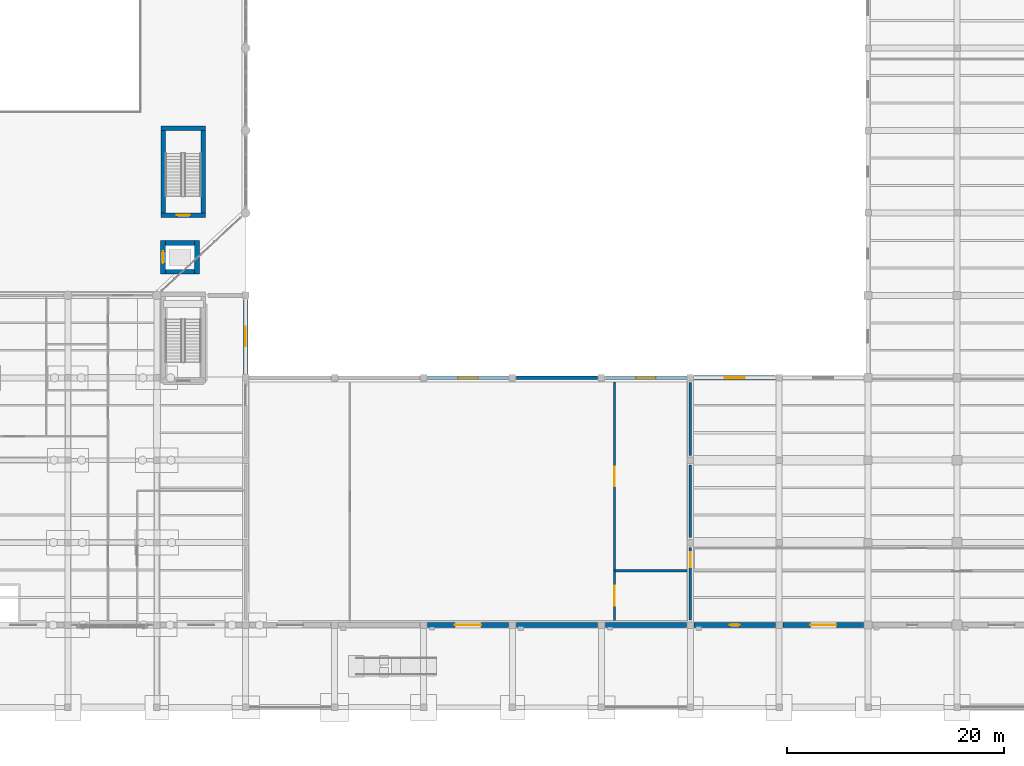
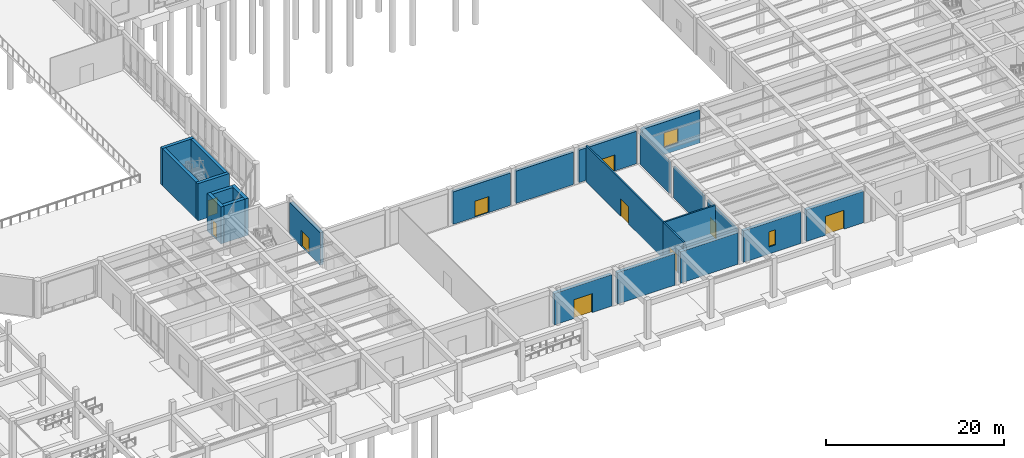
# One storey, part 43 of 64: 24 walls, 10 doors, 2 windows, 12 openings.
"""IFC4 building model written with IfcOpenShell, lengths in metres."""

from ifc_helpers import new_model, si_unit, direction, frame, frame_2d, origin, place, context, subcontext, project, spatial, rectangle, extrude, material, layer, layer_set, type_object, element, fill, save


model = new_model("IFC4")

# Units and contexts
model_context = context("Model", 3, precision=1e-05, world=origin(), true_north=direction((0.0, 1.0)))
body_context = subcontext(model_context, "Body", "Model", "MODEL_VIEW")
ifc_project = project(units=[si_unit("LENGTHUNIT", "METRE"), si_unit("AREAUNIT", "SQUARE_METRE"), si_unit("VOLUMEUNIT", "CUBIC_METRE"), si_unit("PLANEANGLEUNIT", "RADIAN"), si_unit("MASSUNIT", "GRAM", prefix="KILO")], contexts=[model_context])

# Site, building, storey
site_placement = place(None, origin())
site = spatial("IfcSite", under=ifc_project, at=site_placement, CompositionType="ELEMENT")
building_placement = place(site_placement, origin())
building = spatial("IfcBuilding", under=site, at=building_placement, Name="Qandaris Square Conservatory and Botanical Centre", CompositionType="ELEMENT")
storey_placement = place(building_placement, origin())
storey = spatial("IfcBuildingStorey", under=building, at=storey_placement, Name="L00", CompositionType="ELEMENT", Elevation=0.0)

# Wall, opening, door
ifc_material_1 = material(Name="Precast concrete C40/50", Category="concrete")
ifc_layer_1 = layer(ifc_material_1, 0.360107421875)
ifc_layer_set_1 = layer_set([ifc_layer_1], Name="Precast concrete C40/50")
wall_type_1 = type_object("IfcWallType", Name="Architectural Precast Cladding Wall 360mm", PredefinedType="SOLIDWALL", material=ifc_layer_set_1)
wall_1_placement = place(storey_placement, frame((97.840087890625, 39.39990234375, 0.0), z_axis=(0.0, 0.0, 1.0), x_axis=(-1.0, 0.0, 0.0)))
wall_1 = element("IfcWall", 1, at=wall_1_placement, inside=storey, type_object=wall_type_1, Name="Exterior Wall EW-V2-L00-3-1", PredefinedType="SOLIDWALL", context=body_context, shape_type="SweptSolid", body=[
    extrude(rectangle(XDim=7.47998046875, YDim=0.360107421875, at=frame_2d((3.739990234375, 0.0))), origin(), (0.0, 0.0, 1.0), 4.465087890625),
])
opening_1_placement = place(wall_1_placement, frame((2.840087890625, 0.0, 0.0)))
opening_1 = element("IfcOpeningElement", 2, at=opening_1_placement, cuts=wall_1, Name="Opening ED-T3", PredefinedType="OPENING", context=body_context, shape_type="SweptSolid", body=[
    extrude(rectangle(XDim=1.800048828125, YDim=2.199951171875, at=frame_2d((0.89990234375, 1.10009765625))), frame((0.0, 0.19189453125, 0.0), z_axis=(0.0, -1.0, 0.0), x_axis=(1.0, 0.0, 0.0)), (0.0, 0.0, 1.0), 0.384033203125),
])
ifc_material_2 = material(Name="Anodised Aluminium", Category="aluminium")
door_type_1 = type_object("IfcDoorType", Name="Final Exit Escape Double Door 1800x2200", OperationType="DOUBLE_DOOR_SINGLE_SWING", PredefinedType="DOOR", material=ifc_material_2)
door_1_placement = place(opening_1_placement, frame((1.800048828125, 0.0, 0.0), z_axis=(0.0, 0.0, 1.0), x_axis=(-1.0, 0.0, 0.0)))
door_1 = element("IfcDoor", 3, at=door_1_placement, inside=storey, type_object=door_type_1, Name="DR-0076 Exterior Exit Door ED-04", OperationType="DOUBLE_DOOR_SINGLE_SWING", OverallHeight=2.199951171875, OverallWidth=1.800048828125, PredefinedType="DOOR", context=body_context, shape_type="SweptSolid", body=[
    extrude(rectangle(XDim=1.800048828125, YDim=2.199951171875, at=frame_2d((0.89990234375, 1.10009765625))), frame((0.0, 0.02490234375, 0.0), z_axis=(0.0, -1.0, 0.0), x_axis=(1.0, 0.0, 0.0)), (0.0, 0.0, 1.0), 0.050048828125),
])
fill(opening_1, door_1)

# Wall
wall_2_placement = place(storey_placement, frame((89.639892578125, 39.39990234375, 0.0), z_axis=(0.0, 0.0, 1.0), x_axis=(-1.0, 0.0, 0.0)))
element("IfcWall", 4, at=wall_2_placement, inside=storey, type_object=wall_type_1, Name="Exterior Wall EW-V2-L00-3-2", PredefinedType="SOLIDWALL", context=body_context, shape_type="SweptSolid", body=[
    extrude(rectangle(XDim=7.47998046875, YDim=0.360107421875, at=frame_2d((3.739990234375, 0.0))), origin(), (0.0, 0.0, 1.0), 4.465087890625),
])

# Wall, opening, door
wall_3_placement = place(storey_placement, frame((81.43994140625, 39.39990234375, 0.0), z_axis=(0.0, 0.0, 1.0), x_axis=(-1.0, 0.0, 0.0)))
wall_3 = element("IfcWall", 5, at=wall_3_placement, inside=storey, type_object=wall_type_1, Name="Exterior Wall EW-V2-L00-3-3", PredefinedType="SOLIDWALL", context=body_context, shape_type="SweptSolid", body=[
    extrude(rectangle(XDim=7.47998046875, YDim=0.360107421875, at=frame_2d((3.739990234375, 0.0))), origin(), (0.0, 0.0, 1.0), 4.465087890625),
])
opening_2_placement = place(wall_3_placement, frame((2.840087890625, 0.0, 0.0)))
opening_2 = element("IfcOpeningElement", 6, at=opening_2_placement, cuts=wall_3, Name="Opening ED-T3", PredefinedType="OPENING", context=body_context, shape_type="SweptSolid", body=[
    extrude(rectangle(XDim=1.800048828125, YDim=2.199951171875, at=frame_2d((0.89990234375, 1.10009765625))), frame((0.0, 0.19189453125, 0.0), z_axis=(0.0, -1.0, 0.0), x_axis=(1.0, 0.0, 0.0)), (0.0, 0.0, 1.0), 0.384033203125),
])
door_2_placement = place(opening_2_placement, frame((1.800048828125, 0.0, 0.0), z_axis=(0.0, 0.0, 1.0), x_axis=(-1.0, 0.0, 0.0)))
door_2 = element("IfcDoor", 7, at=door_2_placement, inside=storey, type_object=door_type_1, Name="DR-0077 Exterior Exit Door ED-05", OperationType="DOUBLE_DOOR_SINGLE_SWING", OverallHeight=2.199951171875, OverallWidth=1.800048828125, PredefinedType="DOOR", context=body_context, shape_type="SweptSolid", body=[
    extrude(rectangle(XDim=1.800048828125, YDim=2.199951171875, at=frame_2d((0.89990234375, 1.10009765625))), frame((0.0, 0.02490234375, 0.0), z_axis=(0.0, -1.0, 0.0), x_axis=(1.0, 0.0, 0.0)), (0.0, 0.0, 1.0), 0.050048828125),
])
fill(opening_2, door_2)

ifc_material_3 = material(Name="Concrete C40/50", Category="concrete")
ifc_layer_2 = layer(ifc_material_3, 0.199951171875)
ifc_layer_set_2 = layer_set([ifc_layer_2], Name="Concrete C40/50")
wall_type_2 = type_object("IfcWallType", Name="Herbarium & Plant Compartment Wall 200mm", PredefinedType="PARTITIONING", material=ifc_layer_set_2)
wall_4_placement = place(storey_placement, frame((98.199951171875, 17.050048828125, 0.0), z_axis=(0.0, 0.0, 1.0), x_axis=(0.0, 1.0, 0.0)))
wall_4 = element("IfcWall", 8, at=wall_4_placement, inside=storey, type_object=wall_type_2, Name="Compartment Wall PW-V2V4-L00-1", PredefinedType="PARTITIONING", context=body_context, shape_type="SweptSolid", body=[
    extrude(rectangle(XDim=6.699951171875, YDim=0.199951171875, at=frame_2d((3.35009765625, 0.0))), origin(), (0.0, 0.0, 1.0), 4.3349609375),
])
opening_3_placement = place(wall_4_placement, frame((4.8701171875, 0.0, 0.0)))
opening_3 = element("IfcOpeningElement", 9, at=opening_3_placement, cuts=wall_4, Name="Opening D-LAB1", PredefinedType="OPENING", context=body_context, shape_type="SweptSolid", body=[
    extrude(rectangle(XDim=1.39990234375, YDim=2.199951171875, at=frame_2d((0.699951171875, 1.10009765625))), frame((0.0, 0.11181640625, 0.0), z_axis=(0.0, -1.0, 0.0), x_axis=(1.0, 0.0, 0.0)), (0.0, 0.0, 1.0), 0.223876953125),
])
ifc_material_4 = material(Name="Engineered Oak Timber", Category="wood")
door_type_2 = type_object("IfcDoorType", Name="Research Laboratory Leaf-and-Half Door 1400x2200", OperationType="DOUBLE_DOOR_SINGLE_SWING", PredefinedType="DOOR", material=ifc_material_4)
door_3_placement = place(opening_3_placement, origin())
door_3 = element("IfcDoor", 10, at=door_3_placement, inside=storey, type_object=door_type_2, Name="DR-0052 Inter-Volume Connecting Door PVD-L00-V2V4", OperationType="DOUBLE_DOOR_SINGLE_SWING", OverallHeight=2.199951171875, OverallWidth=1.39990234375, PredefinedType="DOOR", context=body_context, shape_type="SweptSolid", body=[
    extrude(rectangle(XDim=1.39990234375, YDim=2.199951171875, at=frame_2d((0.699951171875, 1.10009765625))), frame((0.0, 0.02490234375, 0.0), z_axis=(0.0, -1.0, 0.0), x_axis=(1.0, 0.0, 0.0)), (0.0, 0.0, 1.0), 0.050048828125),
])
fill(opening_3, door_3)

# Walls
wall_5_placement = place(storey_placement, frame((98.199951171875, 24.64990234375, 0.0), z_axis=(0.0, 0.0, 1.0), x_axis=(0.0, 1.0, 0.0)))
element("IfcWall", 11, at=wall_5_placement, inside=storey, type_object=wall_type_2, Name="Compartment Wall PW-V2V4-L00-2", PredefinedType="PARTITIONING", context=body_context, shape_type="SweptSolid", body=[
    extrude(rectangle(XDim=6.7001953125, YDim=0.199951171875, at=frame_2d((3.35009765625, 0.0))), origin(), (0.0, 0.0, 1.0), 4.3349609375),
])
wall_6_placement = place(storey_placement, frame((98.199951171875, 32.25, 0.0), z_axis=(0.0, 0.0, 1.0), x_axis=(0.0, 1.0, 0.0)))
element("IfcWall", 12, at=wall_6_placement, inside=storey, type_object=wall_type_2, Name="Compartment Wall PW-V2V4-L00-3", PredefinedType="PARTITIONING", context=body_context, shape_type="SweptSolid", body=[
    extrude(rectangle(XDim=6.699951171875, YDim=0.199951171875, at=frame_2d((3.35009765625, 0.0))), origin(), (0.0, 0.0, 1.0), 4.3349609375),
])

# Wall, opening, door
wall_7_placement = place(storey_placement, frame((91.199951171875, 39.0, 0.0), z_axis=(0.0, 0.0, 1.0), x_axis=(0.0, -1.0, 0.0)))
wall_7 = element("IfcWall", 13, at=wall_7_placement, inside=storey, type_object=wall_type_2, Name="Interior Partition IW-L00-0072", PredefinedType="PARTITIONING", context=body_context, shape_type="SweptSolid", body=[
    extrude(rectangle(XDim=17.39990234375, YDim=0.199951171875, at=frame_2d((8.699951171875, 0.0))), origin(), (0.0, 0.0, 1.0), 5.0048828125),
])
opening_4_placement = place(wall_7_placement, frame((7.800048828125, 0.0, 0.0)))
opening_4 = element("IfcOpeningElement", 14, at=opening_4_placement, cuts=wall_7, Name="Opening D-AUD1", PredefinedType="OPENING", context=body_context, shape_type="SweptSolid", body=[
    extrude(rectangle(XDim=1.800048828125, YDim=2.39990234375, at=frame_2d((0.89990234375, 1.199951171875))), frame((0.0, 0.11181640625, 0.0), z_axis=(0.0, -1.0, 0.0), x_axis=(1.0, 0.0, 0.0)), (0.0, 0.0, 1.0), 0.223876953125),
])
door_type_3 = type_object("IfcDoorType", Name="Auditorium Acoustic Vestibule Double Door 1800x2400", OperationType="DOUBLE_DOOR_SINGLE_SWING", PredefinedType="DOOR", material=ifc_material_4)
door_4_placement = place(opening_4_placement, origin())
door_4 = element("IfcDoor", 15, at=door_4_placement, inside=storey, type_object=door_type_3, Name="DR-0032 Botanical Symposium Auditorium Door", OperationType="DOUBLE_DOOR_SINGLE_SWING", OverallHeight=2.39990234375, OverallWidth=1.800048828125, PredefinedType="DOOR", context=body_context, shape_type="SweptSolid", body=[
    extrude(rectangle(XDim=1.800048828125, YDim=2.39990234375, at=frame_2d((0.89990234375, 1.199951171875))), frame((0.0, 0.02490234375, 0.0), z_axis=(0.0, -1.0, 0.0), x_axis=(1.0, 0.0, 0.0)), (0.0, 0.0, 1.0), 0.050048828125),
])
fill(opening_4, door_4)

wall_8_placement = place(storey_placement, frame((91.199951171875, 21.60009765625, 0.0), z_axis=(0.0, 0.0, 1.0), x_axis=(0.0, -1.0, 0.0)))
wall_8 = element("IfcWall", 16, at=wall_8_placement, inside=storey, type_object=wall_type_2, Name="Interior Partition IW-L00-0073", PredefinedType="PARTITIONING", context=body_context, shape_type="SweptSolid", body=[
    extrude(rectangle(XDim=4.60009765625, YDim=0.199951171875, at=frame_2d((2.300048828125, 0.0))), origin(), (0.0, 0.0, 1.0), 5.0048828125),
])
opening_5_placement = place(wall_8_placement, frame((1.39990234375, 0.0, 0.0)))
opening_5 = element("IfcOpeningElement", 17, at=opening_5_placement, cuts=wall_8, Name="Opening D-AUD1", PredefinedType="OPENING", context=body_context, shape_type="SweptSolid", body=[
    extrude(rectangle(XDim=1.800048828125, YDim=2.39990234375, at=frame_2d((0.89990234375, 1.199951171875))), frame((0.0, 0.11181640625, 0.0), z_axis=(0.0, -1.0, 0.0), x_axis=(1.0, 0.0, 0.0)), (0.0, 0.0, 1.0), 0.223876953125),
])
door_5_placement = place(opening_5_placement, frame((1.800048828125, 0.0, 0.0), z_axis=(0.0, 0.0, 1.0), x_axis=(-1.0, 0.0, 0.0)))
door_5 = element("IfcDoor", 18, at=door_5_placement, inside=storey, type_object=door_type_3, Name="DR-0033 Botanical Symposium Auditorium Door", OperationType="DOUBLE_DOOR_SINGLE_SWING", OverallHeight=2.39990234375, OverallWidth=1.800048828125, PredefinedType="DOOR", context=body_context, shape_type="SweptSolid", body=[
    extrude(rectangle(XDim=1.800048828125, YDim=2.39990234375, at=frame_2d((0.89990234375, 1.199951171875))), frame((0.0, 0.02490234375, 0.0), z_axis=(0.0, -1.0, 0.0), x_axis=(1.0, 0.0, 0.0)), (0.0, 0.0, 1.0), 0.050048828125),
])
fill(opening_5, door_5)

# Wall
wall_9_placement = place(storey_placement, frame((97.89990234375, 21.60009765625, 0.0), z_axis=(0.0, 0.0, 1.0), x_axis=(-1.0, 0.0, 0.0)))
element("IfcWall", 19, at=wall_9_placement, inside=storey, type_object=wall_type_2, Name="Interior Partition IW-L00-0074", PredefinedType="PARTITIONING", context=body_context, shape_type="SweptSolid", body=[
    extrude(rectangle(XDim=6.699951171875, YDim=0.199951171875, at=frame_2d((3.35009765625, 0.0))), origin(), (0.0, 0.0, 1.0), 5.0048828125),
])

# Wall, opening, door
ifc_layer_3 = layer(ifc_material_3, 0.419921875)
ifc_layer_set_3 = layer_set([ifc_layer_3], Name="Concrete C40/50")
wall_type_3 = type_object("IfcWallType", Name="Insulated Qatari Limestone Cavity Wall 420mm", PredefinedType="SOLIDWALL", material=ifc_layer_set_3)
wall_10_placement = place(storey_placement, frame((73.9599609375, 16.60009765625, 0.0), z_axis=(0.0, 0.0, 1.0), x_axis=(1.0, 0.0, 0.0)))
wall_10 = element("IfcWall", 20, at=wall_10_placement, inside=storey, type_object=wall_type_3, Name="Exterior Wall EW-V2-L00-1-3", PredefinedType="SOLIDWALL", context=body_context, shape_type="SweptSolid", body=[
    extrude(rectangle(XDim=7.47998046875, YDim=0.419921875, at=frame_2d((3.739990234375, 0.0))), origin(), (0.0, 0.0, 1.0), 4.3349609375),
])
opening_6_placement = place(wall_10_placement, frame((2.5400390625, 0.0, 0.0)))
opening_6 = element("IfcOpeningElement", 21, at=opening_6_placement, cuts=wall_10, Name="Opening ED-T1", PredefinedType="OPENING", context=body_context, shape_type="SweptSolid", body=[
    extrude(rectangle(XDim=2.39990234375, YDim=2.60009765625, at=frame_2d((1.199951171875, 1.300048828125))), frame((0.0, 0.221923828125, 0.0), z_axis=(0.0, -1.0, 0.0), x_axis=(1.0, 0.0, 0.0)), (0.0, 0.0, 1.0), 0.44384765625),
])
door_type_4 = type_object("IfcDoorType", Name="Main Civic Entrance Double Glazed Door 2400x2600", OperationType="DOUBLE_DOOR_SINGLE_SWING", PredefinedType="DOOR", material=ifc_material_2)
door_6_placement = place(opening_6_placement, frame((2.39990234375, 0.0, 0.0), z_axis=(0.0, 0.0, 1.0), x_axis=(-1.0, 0.0, 0.0)))
door_6 = element("IfcDoor", 22, at=door_6_placement, inside=storey, type_object=door_type_4, Name="DR-0070 Exterior Exit Door ED-03", OperationType="DOUBLE_DOOR_SINGLE_SWING", OverallHeight=2.60009765625, OverallWidth=2.39990234375, PredefinedType="DOOR", context=body_context, shape_type="SweptSolid", body=[
    extrude(rectangle(XDim=2.39990234375, YDim=2.60009765625, at=frame_2d((1.199951171875, 1.300048828125))), frame((0.0, 0.02490234375, 0.0), z_axis=(0.0, -1.0, 0.0), x_axis=(1.0, 0.0, 0.0)), (0.0, 0.0, 1.0), 0.050048828125),
])
fill(opening_6, door_6)

# Walls
for number, where, z_axis, x_axis, name in (
    (23, (82.159912109375, 16.60009765625, 0.0), (0.0, 0.0, 1.0), (1.0, 0.0, 0.0), "Exterior Wall EW-V2-L00-1-4"),
    (24, (90.360107421875, 16.60009765625, 0.0), (0.0, 0.0, 1.0), (1.0, 0.0, 0.0), "Exterior Wall EW-V2-L00-1-5"),
):
    element("IfcWall", number, at=place(storey_placement, frame(where, z_axis=z_axis, x_axis=x_axis)), inside=storey, type_object=wall_type_3, Name=name, PredefinedType="SOLIDWALL", context=body_context, shape_type="SweptSolid", body=[
        extrude(rectangle(XDim=7.47998046875, YDim=0.419921875, at=frame_2d((3.739990234375, 0.0))), origin(), (0.0, 0.0, 1.0), 4.3349609375),
    ])

# Wall, opening, door
wall_11_placement = place(storey_placement, frame((57.199951171875, 39.760009765625, 0.0), z_axis=(0.0, 0.0, 1.0), x_axis=(0.0, 1.0, 0.0)))
wall_11 = element("IfcWall", 25, at=wall_11_placement, inside=storey, type_object=wall_type_3, Name="Exterior Wall EW-V3A-L00-2-1", PredefinedType="SOLIDWALL", context=body_context, shape_type="SweptSolid", body=[
    extrude(rectangle(XDim=6.8798828125, YDim=0.419921875, at=frame_2d((3.43994140625, 0.0))), origin(), (0.0, 0.0, 1.0), 4.465087890625),
])
opening_7_placement = place(wall_11_placement, frame((2.5400390625, 0.0, 0.0)))
opening_7 = element("IfcOpeningElement", 26, at=opening_7_placement, cuts=wall_11, Name="Opening ED-T3", PredefinedType="OPENING", context=body_context, shape_type="SweptSolid", body=[
    extrude(rectangle(XDim=1.800048828125, YDim=2.199951171875, at=frame_2d((0.89990234375, 1.10009765625))), frame((0.0, 0.221923828125, 0.0), z_axis=(0.0, -1.0, 0.0), x_axis=(1.0, 0.0, 0.0)), (0.0, 0.0, 1.0), 0.44384765625),
])
door_7_placement = place(opening_7_placement, origin())
door_7 = element("IfcDoor", 27, at=door_7_placement, inside=storey, type_object=door_type_1, Name="DR-0078 Exterior Exit Door ED-08", OperationType="DOUBLE_DOOR_SINGLE_SWING", OverallHeight=2.199951171875, OverallWidth=1.800048828125, PredefinedType="DOOR", context=body_context, shape_type="SweptSolid", body=[
    extrude(rectangle(XDim=1.800048828125, YDim=2.199951171875, at=frame_2d((0.89990234375, 1.10009765625))), frame((0.0, 0.02490234375, 0.0), z_axis=(0.0, -1.0, 0.0), x_axis=(1.0, 0.0, 0.0)), (0.0, 0.0, 1.0), 0.050048828125),
])
fill(opening_7, door_7)

# Wall, opening, window
wall_12_placement = place(storey_placement, frame((98.56005859375, 16.60009765625, 0.0), z_axis=(0.0, 0.0, 1.0), x_axis=(1.0, 0.0, 0.0)))
wall_12 = element("IfcWall", 28, at=wall_12_placement, inside=storey, type_object=wall_type_3, Name="Exterior Wall EW-TWR-L00-1-1", PredefinedType="SOLIDWALL", context=body_context, shape_type="SweptSolid", body=[
    extrude(rectangle(XDim=7.47998046875, YDim=0.419921875, at=frame_2d((3.739990234375, 0.0))), origin(), (0.0, 0.0, 1.0), 4.3349609375),
])
opening_8_placement = place(wall_12_placement, frame((3.2900390625, 0.0, 0.949951171875)))
opening_8 = element("IfcOpeningElement", 29, at=opening_8_placement, cuts=wall_12, Name="Opening WN-01", PredefinedType="OPENING", context=body_context, shape_type="SweptSolid", body=[
    extrude(rectangle(XDim=0.89990234375, YDim=2.10009765625, at=frame_2d((0.449951171875, 1.050048828125))), frame((0.0, 0.221923828125, 0.0), z_axis=(0.0, -1.0, 0.0), x_axis=(1.0, 0.0, 0.0)), (0.0, 0.0, 1.0), 0.44384765625),
])
ifc_material_5 = material(Name="Tempered Low-E Glass", Category="glass")
window_type_1 = type_object("IfcWindowType", Name="Deep-Set Solar Slot Window 900x2100", PartitioningType="SINGLE_PANEL", PredefinedType="WINDOW", material=ifc_material_5)
window_1_placement = place(opening_8_placement, origin())
window_1 = element("IfcWindow", 30, at=window_1_placement, inside=storey, type_object=window_type_1, Name="Window EW-TWR-L00-1-1", OverallHeight=2.10009765625, OverallWidth=0.89990234375, PartitioningType="SINGLE_PANEL", PredefinedType="WINDOW", context=body_context, shape_type="SweptSolid", body=[
    extrude(rectangle(XDim=0.89990234375, YDim=2.10009765625, at=frame_2d((0.449951171875, 1.050048828125))), frame((0.0, 0.030029296875, 0.0), z_axis=(0.0, -1.0, 0.0), x_axis=(1.0, 0.0, 0.0)), (0.0, 0.0, 1.0), 0.06005859375),
])
fill(opening_8, window_1)

# Wall, opening, door
wall_13_placement = place(storey_placement, frame((106.760009765625, 16.60009765625, 0.0), z_axis=(0.0, 0.0, 1.0), x_axis=(1.0, 0.0, 0.0)))
wall_13 = element("IfcWall", 31, at=wall_13_placement, inside=storey, type_object=wall_type_3, Name="Exterior Wall EW-TWR-L00-1-2", PredefinedType="SOLIDWALL", context=body_context, shape_type="SweptSolid", body=[
    extrude(rectangle(XDim=7.405029296875, YDim=0.419921875, at=frame_2d((3.70263671875, 0.0))), origin(), (0.0, 0.0, 1.0), 4.3349609375),
])
opening_9_placement = place(wall_13_placement, frame((2.50244140625, 0.0, 0.0)))
opening_9 = element("IfcOpeningElement", 32, at=opening_9_placement, cuts=wall_13, Name="Opening ED-T1", PredefinedType="OPENING", context=body_context, shape_type="SweptSolid", body=[
    extrude(rectangle(XDim=2.39990234375, YDim=2.60009765625, at=frame_2d((1.199951171875, 1.300048828125))), frame((0.0, 0.221923828125, 0.0), z_axis=(0.0, -1.0, 0.0), x_axis=(1.0, 0.0, 0.0)), (0.0, 0.0, 1.0), 0.44384765625),
])
door_8_placement = place(opening_9_placement, frame((2.39990234375, 0.0, 0.0), z_axis=(0.0, 0.0, 1.0), x_axis=(-1.0, 0.0, 0.0)))
door_8 = element("IfcDoor", 33, at=door_8_placement, inside=storey, type_object=door_type_4, Name="DR-0073 Exterior Exit Door ED-11", OperationType="DOUBLE_DOOR_SINGLE_SWING", OverallHeight=2.60009765625, OverallWidth=2.39990234375, PredefinedType="DOOR", context=body_context, shape_type="SweptSolid", body=[
    extrude(rectangle(XDim=2.39990234375, YDim=2.60009765625, at=frame_2d((1.199951171875, 1.300048828125))), frame((0.0, 0.02490234375, 0.0), z_axis=(0.0, -1.0, 0.0), x_axis=(1.0, 0.0, 0.0)), (0.0, 0.0, 1.0), 0.050048828125),
])
fill(opening_9, door_8)

# Wall, opening, window
wall_14_placement = place(storey_placement, frame((106.0400390625, 39.39990234375, 0.0), z_axis=(0.0, 0.0, 1.0), x_axis=(-1.0, 0.0, 0.0)))
wall_14 = element("IfcWall", 34, at=wall_14_placement, inside=storey, type_object=wall_type_3, Name="Exterior Wall EW-TWR-L00-5-2", PredefinedType="SOLIDWALL", context=body_context, shape_type="SweptSolid", body=[
    extrude(rectangle(XDim=7.47998046875, YDim=0.419921875, at=frame_2d((3.739990234375, 0.0))), origin(), (0.0, 0.0, 1.0), 4.485107421875),
])
opening_10_placement = place(wall_14_placement, frame((2.81494140625, 0.0, 0.949951171875)))
opening_10 = element("IfcOpeningElement", 35, at=opening_10_placement, cuts=wall_14, Name="Opening WN-32", PredefinedType="OPENING", context=body_context, shape_type="SweptSolid", body=[
    extrude(rectangle(XDim=1.85009765625, YDim=2.050048828125, at=frame_2d((0.925048828125, 1.02490234375))), frame((0.0, 0.221923828125, 0.0), z_axis=(0.0, -1.0, 0.0), x_axis=(1.0, 0.0, 0.0)), (0.0, 0.0, 1.0), 0.44384765625),
])
window_type_2 = type_object("IfcWindowType", Name="Solar Control Window 1850x2050", PartitioningType="DOUBLE_PANEL_VERTICAL", PredefinedType="WINDOW", material=ifc_material_5)
window_2_placement = place(opening_10_placement, origin())
window_2 = element("IfcWindow", 36, at=window_2_placement, inside=storey, type_object=window_type_2, Name="Window EW-TWR-L00-5-2", OverallHeight=2.050048828125, OverallWidth=1.85009765625, PartitioningType="DOUBLE_PANEL_VERTICAL", PredefinedType="WINDOW", context=body_context, shape_type="SweptSolid", body=[
    extrude(rectangle(XDim=1.85009765625, YDim=2.050048828125, at=frame_2d((0.925048828125, 1.02490234375))), frame((0.0, 0.030029296875, 0.0), z_axis=(0.0, -1.0, 0.0), x_axis=(1.0, 0.0, 0.0)), (0.0, 0.0, 1.0), 0.06005859375),
])
fill(opening_10, window_2)

# Walls
ifc_material_6 = material(Name="Concrete C50/60", Category="concrete")
ifc_layer_4 = layer(ifc_material_6, 0.449951171875)
ifc_layer_set_4 = layer_set([ifc_layer_4], Name="Concrete C50/60")
wall_type_4 = type_object("IfcWallType", Name="RC Coupled Core Shear Wall 450mm", PredefinedType="SHEAR", material=ifc_layer_set_4)
for number, where, z_axis, x_axis, name in (
    (37, (49.800048828125, 49.175048828125, 0.0), (0.0, 0.0, 1.0), (1.0, 0.0, 0.0), "Lift CL1 Shaft Wall South (L00)"),
    (38, (49.800048828125, 51.824951171875, 0.0), (0.0, 0.0, 1.0), (1.0, 0.0, 0.0), "Lift CL1 Shaft Wall North (L00)"),
):
    element("IfcWall", number, at=place(storey_placement, frame(where, z_axis=z_axis, x_axis=x_axis)), inside=storey, type_object=wall_type_4, Name=name, PredefinedType="SHEAR", context=body_context, shape_type="SweptSolid", body=[
        extrude(rectangle(XDim=2.699951171875, YDim=0.449951171875, at=frame_2d((1.35009765625, 0.0))), origin(), (0.0, 0.0, 1.0), 5.10009765625),
    ])

# Wall, opening, door
wall_15_placement = place(storey_placement, frame((49.574951171875, 48.949951171875, 0.0), z_axis=(0.0, 0.0, 1.0), x_axis=(0.0, 1.0, 0.0)))
wall_15 = element("IfcWall", 39, at=wall_15_placement, inside=storey, type_object=wall_type_4, Name="Lift CL1 Shaft Wall West (L00)", PredefinedType="SHEAR", context=body_context, shape_type="SweptSolid", body=[
    extrude(rectangle(XDim=3.10009765625, YDim=0.449951171875, at=frame_2d((1.550048828125, 0.0))), origin(), (0.0, 0.0, 1.0), 5.10009765625),
])
opening_11_placement = place(wall_15_placement, frame((1.0, 0.0, 0.0)))
opening_11 = element("IfcOpeningElement", 40, at=opening_11_placement, cuts=wall_15, Name="Opening LD-PAX", PredefinedType="OPENING", context=body_context, shape_type="SweptSolid", body=[
    extrude(rectangle(XDim=1.10009765625, YDim=2.199951171875, at=frame_2d((0.550048828125, 1.10009765625))), frame((0.0, 0.23681640625, 0.0), z_axis=(0.0, -1.0, 0.0), x_axis=(1.0, 0.0, 0.0)), (0.0, 0.0, 1.0), 0.473876953125),
])
door_type_5 = type_object("IfcDoorType", Name="Passenger Lift Sliding Landing Door 1100x2200", OperationType="DOUBLE_DOOR_SLIDING", PredefinedType="DOOR", material=ifc_material_2)
door_9_placement = place(opening_11_placement, origin())
door_9 = element("IfcDoor", 41, at=door_9_placement, inside=storey, type_object=door_type_5, Name="DR-0085 Lift CL1 Landing Door (L00)", OperationType="DOUBLE_DOOR_SLIDING", OverallHeight=2.199951171875, OverallWidth=1.10009765625, PredefinedType="DOOR", context=body_context, shape_type="SweptSolid", body=[
    extrude(rectangle(XDim=1.10009765625, YDim=2.199951171875, at=frame_2d((0.550048828125, 1.10009765625))), frame((0.0, 0.02490234375, 0.0), z_axis=(0.0, -1.0, 0.0), x_axis=(1.0, 0.0, 0.0)), (0.0, 0.0, 1.0), 0.050048828125),
])
fill(opening_11, door_9)

# Wall
wall_16_placement = place(storey_placement, frame((52.72509765625, 48.949951171875, 0.0), z_axis=(0.0, 0.0, 1.0), x_axis=(0.0, 1.0, 0.0)))
element("IfcWall", 42, at=wall_16_placement, inside=storey, type_object=wall_type_4, Name="Lift CL1 Shaft Wall East (L00)", PredefinedType="SHEAR", context=body_context, shape_type="SweptSolid", body=[
    extrude(rectangle(XDim=3.10009765625, YDim=0.449951171875, at=frame_2d((1.550048828125, 0.0))), origin(), (0.0, 0.0, 1.0), 5.10009765625),
])

# Wall, opening, door
ifc_layer_5 = layer(ifc_material_6, 0.39990234375)
ifc_layer_set_5 = layer_set([ifc_layer_5], Name="Concrete C50/60")
wall_type_5 = type_object("IfcWallType", Name="RC Stair Core Shear Wall 400mm", PredefinedType="SHEAR", material=ifc_layer_set_5)
wall_17_placement = place(storey_placement, frame((49.39990234375, 54.39990234375, 0.0), z_axis=(0.0, 0.0, 1.0), x_axis=(1.0, 0.0, 0.0)))
wall_17 = element("IfcWall", 43, at=wall_17_placement, inside=storey, type_object=wall_type_5, Name="ST-5 Core Shear Wall South (L00)", PredefinedType="SHEAR", context=body_context, shape_type="SweptSolid", body=[
    extrude(rectangle(XDim=4.10009765625, YDim=0.39990234375, at=frame_2d((2.050048828125, 0.0))), origin(), (0.0, 0.0, 1.0), 5.10009765625),
])
opening_12_placement = place(wall_17_placement, frame((1.449951171875, 0.0, 0.0)))
opening_12 = element("IfcOpeningElement", 44, at=opening_12_placement, cuts=wall_17, Name="Opening D-ST1", PredefinedType="OPENING", context=body_context, shape_type="SweptSolid", body=[
    extrude(rectangle(XDim=1.199951171875, YDim=2.199951171875, at=frame_2d((0.60009765625, 1.10009765625))), frame((0.0, 0.2119140625, 0.0), z_axis=(0.0, -1.0, 0.0), x_axis=(1.0, 0.0, 0.0)), (0.0, 0.0, 1.0), 0.423828125),
])
ifc_material_7 = material(Name="Steel S355", Category="steel")
door_type_6 = type_object("IfcDoorType", Name="Exit Stair Core Fire Door 1200x2200", OperationType="NOTDEFINED", PredefinedType="DOOR", material=ifc_material_7)
door_10_placement = place(opening_12_placement, frame((1.199951171875, 0.0, 0.0), z_axis=(0.0, 0.0, 1.0), x_axis=(-1.0, 0.0, 0.0)))
door_10 = element("IfcDoor", 45, at=door_10_placement, inside=storey, type_object=door_type_6, Name="DR-0060 ST-5 Stair Core Door (L00)", OperationType="SINGLE_SWING_LEFT", OverallHeight=2.199951171875, OverallWidth=1.199951171875, PredefinedType="DOOR", context=body_context, shape_type="SweptSolid", body=[
    extrude(rectangle(XDim=1.199951171875, YDim=2.199951171875, at=frame_2d((0.60009765625, 1.10009765625))), frame((0.0, 0.02490234375, 0.0), z_axis=(0.0, -1.0, 0.0), x_axis=(1.0, 0.0, 0.0)), (0.0, 0.0, 1.0), 0.050048828125),
])
fill(opening_12, door_10)

# Walls
wall_18_placement = place(storey_placement, frame((49.39990234375, 62.39990234375, 0.0), z_axis=(0.0, 0.0, 1.0), x_axis=(1.0, 0.0, 0.0)))
element("IfcWall", 46, at=wall_18_placement, inside=storey, type_object=wall_type_5, Name="ST-5 Core Shear Wall North (L00)", PredefinedType="SHEAR", context=body_context, shape_type="SweptSolid", body=[
    extrude(rectangle(XDim=4.10009765625, YDim=0.39990234375, at=frame_2d((2.050048828125, 0.0))), origin(), (0.0, 0.0, 1.0), 5.10009765625),
])
for number, where, z_axis, x_axis, name in (
    (47, (49.60009765625, 54.60009765625, 0.0), (0.0, 0.0, 1.0), (0.0, 1.0, 0.0), "ST-5 Core Shear Wall West (L00)"),
    (48, (53.300048828125, 54.60009765625, 0.0), (0.0, 0.0, 1.0), (0.0, 1.0, 0.0), "ST-5 Core Shear Wall East (L00)"),
):
    element("IfcWall", number, at=place(storey_placement, frame(where, z_axis=z_axis, x_axis=x_axis)), inside=storey, type_object=wall_type_5, Name=name, PredefinedType="SHEAR", context=body_context, shape_type="SweptSolid", body=[
        extrude(rectangle(XDim=7.599853515625, YDim=0.39990234375, at=frame_2d((3.7998046875, 0.0))), origin(), (0.0, 0.0, 1.0), 5.10009765625),
    ])

save(model, "model.ifc")
